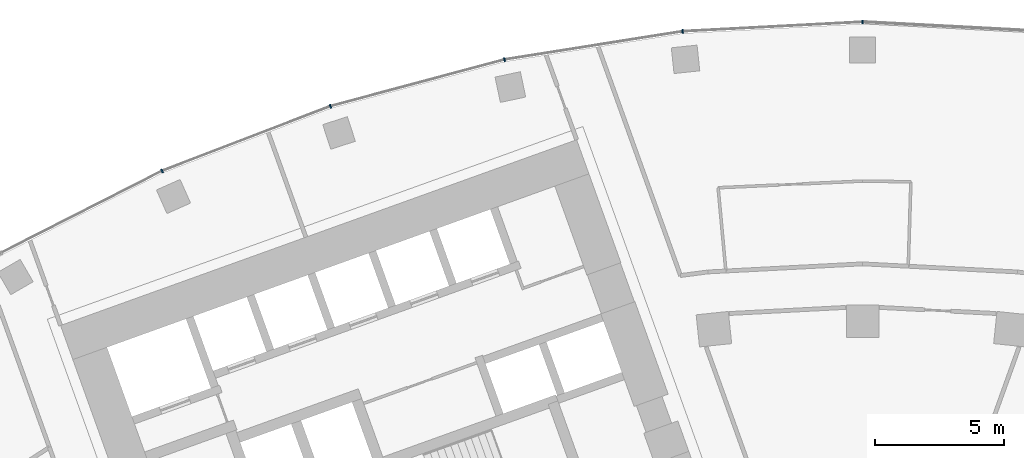
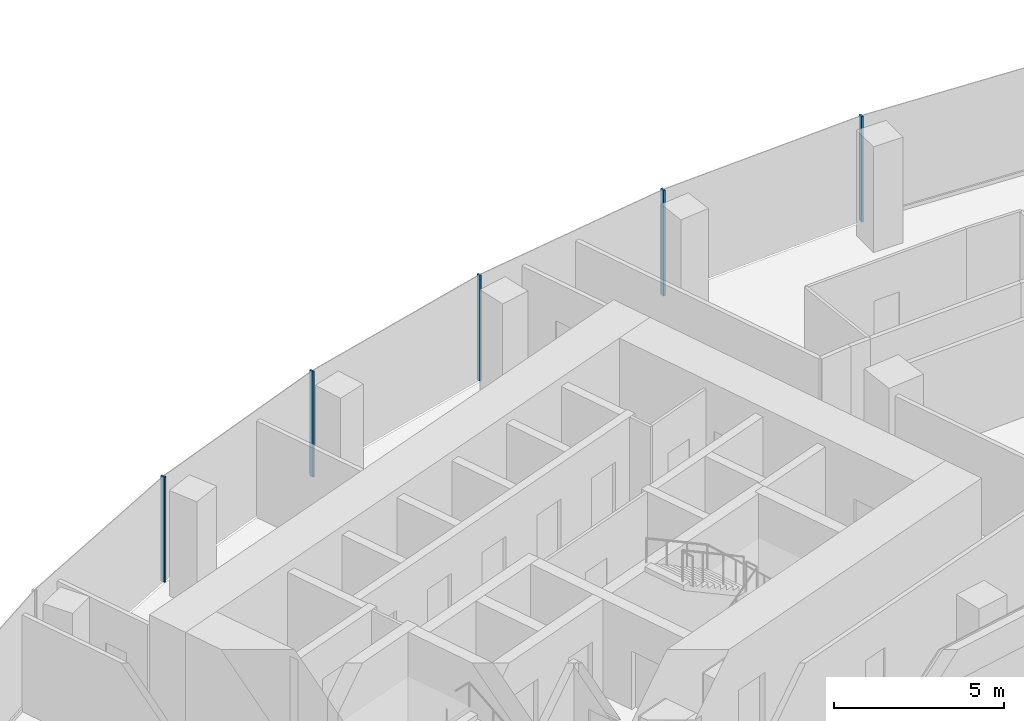
# One storey, part 6 of 20: 5 members, 1 element without a shape of its own.
"""IFC4 building model written with IfcOpenShell, lengths in metres."""

from ifc_helpers import new_model, si_unit, direction, frame, origin, origin_2d, place, context, subcontext, project, spatial, rectangle, extrude, material, layer, layer_set, material_profile, profile_set, type_object, element, aggregate, save


model = new_model("IFC4")

# Units and contexts
model_context = context("Model", 3, precision=1e-05, world=origin(), true_north=direction((0.0, 1.0)))
body_context = subcontext(model_context, "Body", "Model", "MODEL_VIEW")
ifc_project = project(units=[si_unit("LENGTHUNIT", "METRE"), si_unit("AREAUNIT", "SQUARE_METRE"), si_unit("VOLUMEUNIT", "CUBIC_METRE"), si_unit("PLANEANGLEUNIT", "RADIAN"), si_unit("MASSUNIT", "GRAM", prefix="KILO")], contexts=[model_context])

# Site, building, storey
site_placement = place(None, origin())
site = spatial("IfcSite", under=ifc_project, at=site_placement, CompositionType="ELEMENT")
building_placement = place(site_placement, origin())
building = spatial("IfcBuilding", under=site, at=building_placement, Name="Stone Belt Terrace Tower", CompositionType="ELEMENT")
storey_placement = place(building_placement, frame((0.0, 0.0, 185.800048828125)))
storey = spatial("IfcBuildingStorey", under=building, at=storey_placement, Name="L45", CompositionType="ELEMENT", Elevation=185.800048828125)

# Curtain wall, members
ifc_material = material(Name="Aluminium 6063-T6 anodised frame", Category="aluminium")
ifc_layer = layer(ifc_material, 0.14990234375)
ifc_layer_set = layer_set([ifc_layer], Name="CW-A unitised convex-face curtain wall")
curtain_wall_type = type_object("IfcCurtainWallType", Name="CW-A unitised convex-face curtain wall", PredefinedType="NOTDEFINED", material=ifc_layer_set)
curtain_wall_placement = place(storey_placement, origin())
curtain_wall = element("IfcCurtainWall", 1, at=curtain_wall_placement, inside=storey, type_object=curtain_wall_type, Name="CW-A convex face L45", PredefinedType="NOTDEFINED")
ifc_material_profile = material_profile(ifc_material, rectangle(XDim=0.14990234375, YDim=0.06005859375, at=origin_2d()), Name="Aluminium 6063-T6 60x150")
ifc_profile_set = profile_set([ifc_material_profile], Name="Aluminium 6063-T6 anodised frame")
member_type = type_object("IfcMemberType", Name="CW-A mullion 60 x 150", PredefinedType="MULLION", material=ifc_profile_set)
member_1_placement = place(storey_placement, frame((0.0, 66.5751953125, 0.0), z_axis=(0.0, 0.0, 1.0), x_axis=(0.0, -1.0, 0.0)))
member_1 = element("IfcMember", 2, at=member_1_placement, type_object=member_type, Name="CW-A mullion 8", PredefinedType="MULLION", context=body_context, shape_type="SweptSolid", body=[
    extrude(rectangle(XDim=0.14990234375, YDim=0.06005859375, at=origin_2d()), origin(), (0.0, 0.0, 1.0), 3.800048828125),
])
member_2_placement = place(storey_placement, frame((-6.958984375, 66.21044921875, 0.0), z_axis=(0.0, 0.0, 1.0), x_axis=(0.104528463268, -0.994521895368, 0.0)))
member_2 = element("IfcMember", 3, at=member_2_placement, type_object=member_type, Name="CW-A mullion 9", PredefinedType="MULLION", context=body_context, shape_type="SweptSolid", body=[
    extrude(rectangle(XDim=0.14990234375, YDim=0.06005859375, at=origin_2d()), origin(), (0.0, 0.0, 1.0), 3.800048828125),
])
member_3_placement = place(storey_placement, frame((-13.841796875, 65.120361328125, 0.0), z_axis=(0.0, 0.0, 1.0), x_axis=(0.207911690818, -0.978147600734, 0.0)))
member_3 = element("IfcMember", 4, at=member_3_placement, type_object=member_type, Name="CW-A mullion 10", PredefinedType="MULLION", context=body_context, shape_type="SweptSolid", body=[
    extrude(rectangle(XDim=0.14990234375, YDim=0.06005859375, at=origin_2d()), origin(), (0.0, 0.0, 1.0), 3.800048828125),
])
member_4_placement = place(storey_placement, frame((-20.57275390625, 63.316650390625, 0.0), z_axis=(0.0, 0.0, 1.0), x_axis=(0.309016994375, -0.951056516295, 0.0)))
member_4 = element("IfcMember", 5, at=member_4_placement, type_object=member_type, Name="CW-A mullion 11", PredefinedType="MULLION", context=body_context, shape_type="SweptSolid", body=[
    extrude(rectangle(XDim=0.14990234375, YDim=0.06005859375, at=origin_2d()), origin(), (0.0, 0.0, 1.0), 3.800048828125),
])
member_5_placement = place(storey_placement, frame((-27.07861328125, 60.8193359375, 0.0), z_axis=(0.0, 0.0, 1.0), x_axis=(0.406736643076, -0.913545457643, 0.0)))
member_5 = element("IfcMember", 6, at=member_5_placement, type_object=member_type, Name="CW-A mullion 12", PredefinedType="MULLION", context=body_context, shape_type="SweptSolid", body=[
    extrude(rectangle(XDim=0.14990234375, YDim=0.06005859375, at=origin_2d()), origin(), (0.0, 0.0, 1.0), 3.800048828125),
])
aggregate(curtain_wall, [member_1, member_2, member_3, member_4, member_5])

save(model, "model.ifc")
